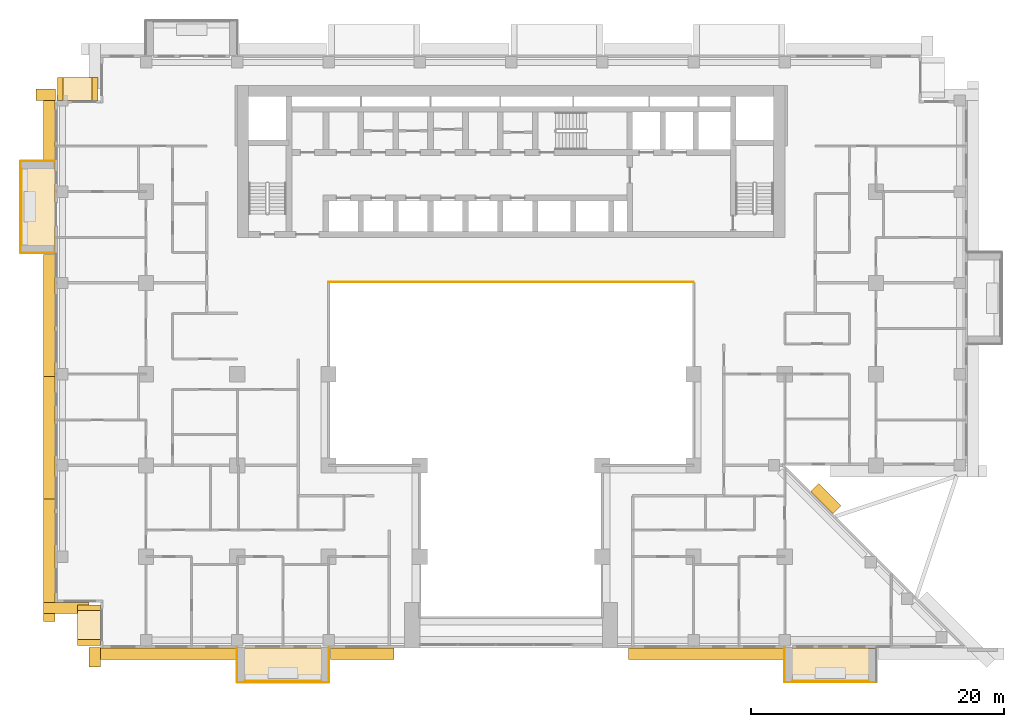
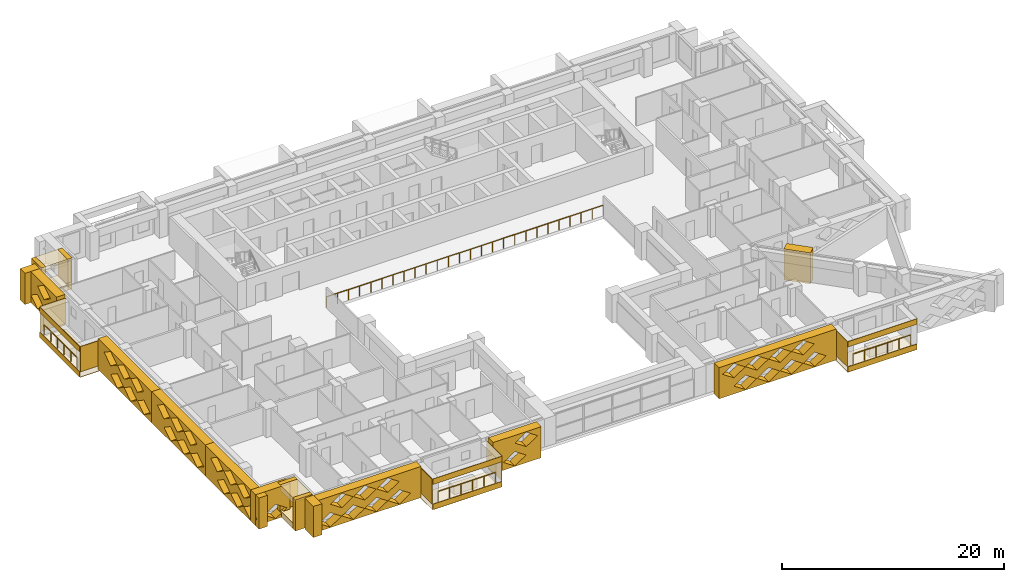
# One storey, part 14 of 17: 33 coverings, 4 railings.
"""IFC4 building model written with IfcOpenShell, lengths in metres."""

from ifc_helpers import new_model, si_unit, direction, frame, origin, origin_2d, place, context, subcontext, project, spatial, polyline, circle, outline, extrude, material, layer, layer_set, type_object, element, save


model = new_model("IFC4")

# Units and contexts
model_context = context("Model", 3, precision=1e-05, world=origin(), true_north=direction((0.0, 1.0)))
body_context = subcontext(model_context, "Body", "Model", "MODEL_VIEW")
ifc_project = project(units=[si_unit("LENGTHUNIT", "METRE"), si_unit("AREAUNIT", "SQUARE_METRE"), si_unit("VOLUMEUNIT", "CUBIC_METRE"), si_unit("PLANEANGLEUNIT", "RADIAN"), si_unit("MASSUNIT", "GRAM", prefix="KILO")], contexts=[model_context])

# Site, building, storey
site_placement = place(None, origin())
site = spatial("IfcSite", under=ifc_project, at=site_placement, CompositionType="ELEMENT")
building_placement = place(site_placement, origin())
building = spatial("IfcBuilding", under=site, at=building_placement, Name="Saffron Iwan Residences", CompositionType="ELEMENT")
storey_placement = place(building_placement, frame((0.0, 0.0, 104.0)))
storey = spatial("IfcBuildingStorey", under=building, at=storey_placement, Name="L27", CompositionType="ELEMENT", Elevation=104.0)

# Railings
ifc_material_1 = material(Name="Stainless steel 316", Category="steel")
railing_type_1 = type_object("IfcRailingType", Name="Atrium guard 1150", PredefinedType="GUARDRAIL", material=ifc_material_1)
railing_1_placement = place(storey_placement, frame((36.0, 62.47509765625, 0.0)))
element("IfcRailing", 1, at=railing_1_placement, inside=storey, type_object=railing_type_1, Name="Atrium guard L27", PredefinedType="GUARDRAIL", context=body_context, shape_type="SweptSolid", body=[
    extrude(circle(Radius=0.02392578125, at=origin_2d()), frame((0.0, 0.0, 1.1259765625), z_axis=(1.0, 0.0, 0.0), x_axis=(0.0, 1.0, 0.0)), (0.0, 0.0, 1.0), 28.800048828125),
    extrude(circle(Radius=0.02099609375, at=origin_2d()), origin(), (0.0, 0.0, 1.0), 1.101806640625),
    extrude(circle(Radius=0.02099609375, at=origin_2d()), frame((1.152099609375, 0.0, 0.0)), (0.0, 0.0, 1.0), 1.101806640625),
    extrude(circle(Radius=0.02099609375, at=origin_2d()), frame((2.303955078125, 0.0, 0.0)), (0.0, 0.0, 1.0), 1.101806640625),
    extrude(circle(Radius=0.02099609375, at=origin_2d()), frame((3.4560546875, 0.0, 0.0)), (0.0, 0.0, 1.0), 1.101806640625),
    extrude(circle(Radius=0.02099609375, at=origin_2d()), frame((4.60791015625, 0.0, 0.0)), (0.0, 0.0, 1.0), 1.101806640625),
    extrude(circle(Radius=0.02099609375, at=origin_2d()), frame((5.760009765625, 0.0, 0.0)), (0.0, 0.0, 1.0), 1.101806640625),
    extrude(circle(Radius=0.02099609375, at=origin_2d()), frame((6.912109375, 0.0, 0.0)), (0.0, 0.0, 1.0), 1.101806640625),
    extrude(circle(Radius=0.02099609375, at=origin_2d()), frame((8.06396484375, 0.0, 0.0)), (0.0, 0.0, 1.0), 1.101806640625),
    extrude(circle(Radius=0.02099609375, at=origin_2d()), frame((9.216064453125, 0.0, 0.0)), (0.0, 0.0, 1.0), 1.101806640625),
    extrude(circle(Radius=0.02099609375, at=origin_2d()), frame((10.367919921875, 0.0, 0.0)), (0.0, 0.0, 1.0), 1.101806640625),
    extrude(circle(Radius=0.02099609375, at=origin_2d()), frame((11.52001953125, 0.0, 0.0)), (0.0, 0.0, 1.0), 1.101806640625),
    extrude(circle(Radius=0.02099609375, at=origin_2d()), frame((12.672119140625, 0.0, 0.0)), (0.0, 0.0, 1.0), 1.101806640625),
    extrude(circle(Radius=0.02099609375, at=origin_2d()), frame((13.823974609375, 0.0, 0.0)), (0.0, 0.0, 1.0), 1.101806640625),
    extrude(circle(Radius=0.02099609375, at=origin_2d()), frame((14.97607421875, 0.0, 0.0)), (0.0, 0.0, 1.0), 1.101806640625),
    extrude(circle(Radius=0.02099609375, at=origin_2d()), frame((16.1279296875, 0.0, 0.0)), (0.0, 0.0, 1.0), 1.101806640625),
    extrude(circle(Radius=0.02099609375, at=origin_2d()), frame((17.280029296875, 0.0, 0.0)), (0.0, 0.0, 1.0), 1.101806640625),
    extrude(circle(Radius=0.02099609375, at=origin_2d()), frame((18.43212890625, 0.0, 0.0)), (0.0, 0.0, 1.0), 1.101806640625),
    extrude(circle(Radius=0.02099609375, at=origin_2d()), frame((19.583984375, 0.0, 0.0)), (0.0, 0.0, 1.0), 1.101806640625),
    extrude(circle(Radius=0.02099609375, at=origin_2d()), frame((20.736083984375, 0.0, 0.0)), (0.0, 0.0, 1.0), 1.101806640625),
    extrude(circle(Radius=0.02099609375, at=origin_2d()), frame((21.887939453125, 0.0, 0.0)), (0.0, 0.0, 1.0), 1.101806640625),
    extrude(circle(Radius=0.02099609375, at=origin_2d()), frame((23.0400390625, 0.0, 0.0)), (0.0, 0.0, 1.0), 1.101806640625),
    extrude(circle(Radius=0.02099609375, at=origin_2d()), frame((24.192138671875, 0.0, 0.0)), (0.0, 0.0, 1.0), 1.101806640625),
    extrude(circle(Radius=0.02099609375, at=origin_2d()), frame((25.343994140625, 0.0, 0.0)), (0.0, 0.0, 1.0), 1.101806640625),
    extrude(circle(Radius=0.02099609375, at=origin_2d()), frame((26.49609375, 0.0, 0.0)), (0.0, 0.0, 1.0), 1.101806640625),
    extrude(circle(Radius=0.02099609375, at=origin_2d()), frame((27.64794921875, 0.0, 0.0)), (0.0, 0.0, 1.0), 1.101806640625),
    extrude(circle(Radius=0.02099609375, at=origin_2d()), frame((28.800048828125, 0.0, 0.0)), (0.0, 0.0, 1.0), 1.101806640625),
])
railing_type_2 = type_object("IfcRailingType", Name="BALCONY GUARD 1150", PredefinedType="GUARDRAIL", material=ifc_material_1)
railing_2_placement = place(storey_placement, frame((11.77490234375, 71.39990234375, 0.0)))
element("IfcRailing", 2, at=railing_2_placement, inside=storey, type_object=railing_type_2, Name="Balcony guard L27 F8-0", PredefinedType="GUARDRAIL", context=body_context, shape_type="SweptSolid", body=[
    extrude(circle(Radius=0.02392578125, at=origin_2d()), frame((0.0, 0.0, 1.1259765625), z_axis=(0.0, -1.0, 0.0), x_axis=(1.0, 0.0, 0.0)), (0.0, 0.0, 1.0), 6.0),
    extrude(circle(Radius=0.02099609375, at=origin_2d()), origin(), (0.0, 0.0, 1.0), 1.101806640625),
    extrude(circle(Radius=0.02099609375, at=origin_2d()), frame((0.0, -1.199951171875, 0.0)), (0.0, 0.0, 1.0), 1.101806640625),
    extrude(circle(Radius=0.02099609375, at=origin_2d()), frame((0.0, -2.39990234375, 0.0)), (0.0, 0.0, 1.0), 1.101806640625),
    extrude(circle(Radius=0.02099609375, at=origin_2d()), frame((0.0, -3.60009765625, 0.0)), (0.0, 0.0, 1.0), 1.101806640625),
    extrude(circle(Radius=0.02099609375, at=origin_2d()), frame((0.0, -4.800048828125, 0.0)), (0.0, 0.0, 1.0), 1.101806640625),
    extrude(circle(Radius=0.02099609375, at=origin_2d()), frame((0.0, -6.0, 0.0)), (0.0, 0.0, 1.0), 1.101806640625),
])
for number, where, name in (
    (3, (29.39990234375, 30.97509765625, 0.0), "Balcony guard L27 11-0"),
    (4, (72.60009765625, 30.97509765625, 0.0), "Balcony guard L27 11-1"),
):
    element("IfcRailing", number, at=place(storey_placement, frame(where)), inside=storey, type_object=railing_type_2, Name=name, PredefinedType="GUARDRAIL", context=body_context, shape_type="SweptSolid", body=[
        extrude(circle(Radius=0.02392578125, at=origin_2d()), frame((0.0, 0.0, 1.1259765625), z_axis=(1.0, 0.0, 0.0), x_axis=(0.0, 1.0, 0.0)), (0.0, 0.0, 1.0), 6.0),
        extrude(circle(Radius=0.02099609375, at=origin_2d()), origin(), (0.0, 0.0, 1.0), 1.101806640625),
        extrude(circle(Radius=0.02099609375, at=origin_2d()), frame((1.199951171875, 0.0, 0.0)), (0.0, 0.0, 1.0), 1.101806640625),
        extrude(circle(Radius=0.02099609375, at=origin_2d()), frame((2.39990234375, 0.0, 0.0)), (0.0, 0.0, 1.0), 1.101806640625),
        extrude(circle(Radius=0.02099609375, at=origin_2d()), frame((3.60009765625, 0.0, 0.0)), (0.0, 0.0, 1.0), 1.101806640625),
        extrude(circle(Radius=0.02099609375, at=origin_2d()), frame((4.800048828125, 0.0, 0.0)), (0.0, 0.0, 1.0), 1.101806640625),
        extrude(circle(Radius=0.02099609375, at=origin_2d()), frame((6.0, 0.0, 0.0)), (0.0, 0.0, 1.0), 1.101806640625),
    ])

# Coverings
ifc_material_2 = material(Name="Precast concrete C40/50 white painted", Category="concrete")
ifc_layer = layer(ifc_material_2, 0.050048828125)
ifc_layer_set = layer_set([ifc_layer], Name="Precast concrete C40/50 white painted")
covering_type_1 = type_object("IfcCoveringType", Name="FRAME SKIN PRECAST WHITE 50", PredefinedType="CLADDING", material=ifc_layer_set)
for number, where, name in (
    (5, (0.0, 0.0, -0.60009765625), "Frame skin slab edge L27 F8-0"),
    (6, (0.0, 0.0, 2.169921875), "Frame skin fascia L27 F8-0"),
):
    element("IfcCovering", number, at=place(storey_placement, frame(where)), inside=storey, type_object=covering_type_1, Name=name, PredefinedType="CLADDING", context=body_context, shape_type="SweptSolid", body=[
        extrude(outline(polyline([(11.64990234375, 72.0), (11.64990234375, 64.800048828125), (11.699951171875, 64.800048828125), (11.699951171875, 72.0), (11.64990234375, 72.0)])), origin(), (0.0, 0.0, 1.0), 0.60009765625),
    ])
covering_1_placement = place(storey_placement, frame((0.0, 0.0, -0.64990234375)))
element("IfcCovering", 7, at=covering_1_placement, inside=storey, type_object=covering_type_1, Name="Frame skin soffit L27 F8-0", PredefinedType="CLADDING", context=body_context, shape_type="SweptSolid", body=[
    extrude(outline(polyline([(11.699951171875, 72.0), (11.699951171875, 64.800048828125), (14.39990234375, 64.800048828125), (14.39990234375, 72.0), (11.699951171875, 72.0)])), origin(), (0.0, 0.0, 1.0), 0.0498046875),
])
covering_2_placement = place(storey_placement, origin())
element("IfcCovering", 8, at=covering_2_placement, inside=storey, type_object=covering_type_1, Name="Frame skin fin L27 F8-0a", PredefinedType="CLADDING", context=body_context, shape_type="SweptSolid", body=[
    extrude(outline(polyline([(11.699951171875, 72.050048828125), (11.699951171875, 72.0), (14.39990234375, 72.0), (14.39990234375, 72.050048828125), (11.699951171875, 72.050048828125)])), origin(), (0.0, 0.0, 1.0), 2.77001953125),
])
covering_3_placement = place(storey_placement, origin())
element("IfcCovering", 9, at=covering_3_placement, inside=storey, type_object=covering_type_1, Name="Frame skin fin L27 F8-0b", PredefinedType="CLADDING", context=body_context, shape_type="SweptSolid", body=[
    extrude(outline(polyline([(11.699951171875, 64.800048828125), (11.699951171875, 64.75), (14.39990234375, 64.75), (14.39990234375, 64.800048828125), (11.699951171875, 64.800048828125)])), origin(), (0.0, 0.0, 1.0), 2.77001953125),
])
for number, where, name in (
    (10, (0.0, 0.0, -0.60009765625), "Frame skin slab edge L27 11-0"),
    (11, (0.0, 0.0, 2.169921875), "Frame skin fascia L27 11-0"),
):
    element("IfcCovering", number, at=place(storey_placement, frame(where)), inside=storey, type_object=covering_type_1, Name=name, PredefinedType="CLADDING", context=body_context, shape_type="SweptSolid", body=[
        extrude(outline(polyline([(28.800048828125, 30.85009765625), (36.0, 30.85009765625), (36.0, 30.89990234375), (28.800048828125, 30.89990234375), (28.800048828125, 30.85009765625)])), origin(), (0.0, 0.0, 1.0), 0.60009765625),
    ])
covering_4_placement = place(storey_placement, frame((0.0, 0.0, -0.64990234375)))
element("IfcCovering", 12, at=covering_4_placement, inside=storey, type_object=covering_type_1, Name="Frame skin soffit L27 11-0", PredefinedType="CLADDING", context=body_context, shape_type="SweptSolid", body=[
    extrude(outline(polyline([(28.800048828125, 30.89990234375), (36.0, 30.89990234375), (36.0, 33.60009765625), (28.800048828125, 33.60009765625), (28.800048828125, 30.89990234375)])), origin(), (0.0, 0.0, 1.0), 0.0498046875),
])
covering_5_placement = place(storey_placement, origin())
element("IfcCovering", 13, at=covering_5_placement, inside=storey, type_object=covering_type_1, Name="Frame skin fin L27 11-0a", PredefinedType="CLADDING", context=body_context, shape_type="SweptSolid", body=[
    extrude(outline(polyline([(28.75, 30.89990234375), (28.800048828125, 30.89990234375), (28.800048828125, 33.60009765625), (28.75, 33.60009765625), (28.75, 30.89990234375)])), origin(), (0.0, 0.0, 1.0), 2.77001953125),
])
covering_6_placement = place(storey_placement, origin())
element("IfcCovering", 14, at=covering_6_placement, inside=storey, type_object=covering_type_1, Name="Frame skin fin L27 11-0b", PredefinedType="CLADDING", context=body_context, shape_type="SweptSolid", body=[
    extrude(outline(polyline([(36.0, 30.89990234375), (36.050048828125, 30.89990234375), (36.050048828125, 33.60009765625), (36.0, 33.60009765625), (36.0, 30.89990234375)])), origin(), (0.0, 0.0, 1.0), 2.77001953125),
])
for number, where, name in (
    (15, (0.0, 0.0, -0.60009765625), "Frame skin slab edge L27 11-1"),
    (16, (0.0, 0.0, 2.169921875), "Frame skin fascia L27 11-1"),
):
    element("IfcCovering", number, at=place(storey_placement, frame(where)), inside=storey, type_object=covering_type_1, Name=name, PredefinedType="CLADDING", context=body_context, shape_type="SweptSolid", body=[
        extrude(outline(polyline([(72.0, 30.85009765625), (79.199951171875, 30.85009765625), (79.199951171875, 30.89990234375), (72.0, 30.89990234375), (72.0, 30.85009765625)])), origin(), (0.0, 0.0, 1.0), 0.60009765625),
    ])
covering_7_placement = place(storey_placement, frame((0.0, 0.0, -0.64990234375)))
element("IfcCovering", 17, at=covering_7_placement, inside=storey, type_object=covering_type_1, Name="Frame skin soffit L27 11-1", PredefinedType="CLADDING", context=body_context, shape_type="SweptSolid", body=[
    extrude(outline(polyline([(72.0, 30.89990234375), (79.199951171875, 30.89990234375), (79.199951171875, 33.60009765625), (72.0, 33.60009765625), (72.0, 30.89990234375)])), origin(), (0.0, 0.0, 1.0), 0.0498046875),
])
covering_8_placement = place(storey_placement, origin())
element("IfcCovering", 18, at=covering_8_placement, inside=storey, type_object=covering_type_1, Name="Frame skin fin L27 11-1a", PredefinedType="CLADDING", context=body_context, shape_type="SweptSolid", body=[
    extrude(outline(polyline([(71.949951171875, 30.89990234375), (72.0, 30.89990234375), (72.0, 33.60009765625), (71.949951171875, 33.60009765625), (71.949951171875, 30.89990234375)])), origin(), (0.0, 0.0, 1.0), 2.77001953125),
])
ifc_material_3 = material(Name="Precast concrete C40/50", Category="concrete")
covering_type_2 = type_object("IfcCoveringType", Name="OUTER SKIN LATTICE SCREEN", PredefinedType="CLADDING", material=ifc_material_3)
covering_9_placement = place(storey_placement, frame((75.805908203125, 44.194091796875, -0.320068359375), z_axis=(0.707106781187, 0.707106781187, 0.0), x_axis=(-0.707106781187, 0.707106781187, 0.0)))
element("IfcCovering", 19, at=covering_9_placement, inside=storey, type_object=covering_type_2, Name="OUTER SKIN lattice screen L27 F0.1", PredefinedType="CLADDING", context=body_context, shape_type="SweptSolid", body=[
    extrude(outline(polyline([(0.0, 0.0), (2.4853515625, 0.0), (2.4853515625, 3.419921875), (0.0, 3.419921875), (0.0, 0.0)])), origin(), (0.0, 0.0, 1.0), 0.900146484375),
])
covering_10_placement = place(storey_placement, frame((14.449951171875, 76.800048828125, -0.320068359375), z_axis=(0.0, 1.0, 0.0), x_axis=(-1.0, 0.0, 0.0)))
element("IfcCovering", 20, at=covering_10_placement, inside=storey, type_object=covering_type_2, Name="OUTER SKIN lattice screen L27 F7.0", PredefinedType="CLADDING", context=body_context, shape_type="SweptSolid", body=[
    extrude(outline(polyline([(0.0, 0.0), (1.550048828125, 0.0), (1.550048828125, 3.419921875), (0.0, 3.419921875), (0.0, 0.0)])), origin(), (0.0, 0.0, 1.0), 0.89990234375),
])
covering_11_placement = place(storey_placement, frame((14.39990234375, 77.699951171875, -0.320068359375), z_axis=(-1.0, 0.0, 0.0), x_axis=(0.0, -1.0, 0.0)))
element("IfcCovering", 21, at=covering_11_placement, inside=storey, type_object=covering_type_2, Name="OUTER SKIN lattice screen L27 F8.0", PredefinedType="CLADDING", context=body_context, shape_type="SweptSolid", body=[
    extrude(outline(polyline([(0.0, 0.0), (5.550048828125, 0.0), (5.550048828125, 3.419921875), (0.0, 3.419921875), (0.0, 0.0)]), holes=[polyline([(0.919921875, 0.85498046875), (2.10009765625, 0.06005859375), (3.280029296875, 0.85498046875), (2.10009765625, 1.64990234375), (0.919921875, 0.85498046875)]), polyline([(2.1201171875, 2.56494140625), (3.300048828125, 1.77001953125), (4.47998046875, 2.56494140625), (3.300048828125, 3.360107421875), (2.1201171875, 2.56494140625)])]), origin(), (0.0, 0.0, 1.0), 0.89990234375),
])
covering_12_placement = place(storey_placement, frame((14.39990234375, 64.64990234375, -0.320068359375), z_axis=(-1.0, 0.0, 0.0), x_axis=(0.0, -1.0, 0.0)))
element("IfcCovering", 22, at=covering_12_placement, inside=storey, type_object=covering_type_2, Name="OUTER SKIN lattice screen L27 F8.1", PredefinedType="CLADDING", context=body_context, shape_type="SweptSolid", body=[
    extrude(outline(polyline([(0.0, 0.0), (9.64990234375, 0.0), (9.64990234375, 3.419921875), (0.0, 3.419921875), (0.0, 0.0)]), holes=[polyline([(2.27001953125, 0.85498046875), (3.449951171875, 0.06005859375), (4.6298828125, 0.85498046875), (3.449951171875, 1.64990234375), (2.27001953125, 0.85498046875)]), polyline([(4.669921875, 0.85498046875), (5.85009765625, 0.06005859375), (7.030029296875, 0.85498046875), (5.85009765625, 1.64990234375), (4.669921875, 0.85498046875)]), polyline([(7.070068359375, 0.85498046875), (8.25, 0.06005859375), (9.429931640625, 0.85498046875), (8.25, 1.64990234375), (7.070068359375, 0.85498046875)]), polyline([(1.070068359375, 2.56494140625), (2.25, 1.77001953125), (3.429931640625, 2.56494140625), (2.25, 3.360107421875), (1.070068359375, 2.56494140625)]), polyline([(3.469970703125, 2.56494140625), (4.64990234375, 1.77001953125), (5.830078125, 2.56494140625), (4.64990234375, 3.360107421875), (3.469970703125, 2.56494140625)]), polyline([(5.8701171875, 2.56494140625), (7.050048828125, 1.77001953125), (8.22998046875, 2.56494140625), (7.050048828125, 3.360107421875), (5.8701171875, 2.56494140625)])]), origin(), (0.0, 0.0, 1.0), 0.89990234375),
])
covering_13_placement = place(storey_placement, frame((14.39990234375, 55.0, -0.320068359375), z_axis=(-1.0, 0.0, 0.0), x_axis=(0.0, -1.0, 0.0)))
element("IfcCovering", 23, at=covering_13_placement, inside=storey, type_object=covering_type_2, Name="OUTER SKIN lattice screen L27 F8.2", PredefinedType="CLADDING", context=body_context, shape_type="SweptSolid", body=[
    extrude(outline(polyline([(0.0, 0.0), (9.64990234375, 0.0), (9.64990234375, 3.419921875), (0.0, 3.419921875), (0.0, 0.0)]), holes=[polyline([(2.219970703125, 0.85498046875), (3.39990234375, 0.06005859375), (4.580078125, 0.85498046875), (3.39990234375, 1.64990234375), (2.219970703125, 0.85498046875)]), polyline([(4.6201171875, 0.85498046875), (5.800048828125, 0.06005859375), (6.97998046875, 0.85498046875), (5.800048828125, 1.64990234375), (4.6201171875, 0.85498046875)]), polyline([(7.02001953125, 0.85498046875), (8.199951171875, 0.06005859375), (9.3798828125, 0.85498046875), (8.199951171875, 1.64990234375), (7.02001953125, 0.85498046875)]), polyline([(1.02001953125, 2.56494140625), (2.199951171875, 1.77001953125), (3.3798828125, 2.56494140625), (2.199951171875, 3.360107421875), (1.02001953125, 2.56494140625)]), polyline([(3.419921875, 2.56494140625), (4.60009765625, 1.77001953125), (5.780029296875, 2.56494140625), (4.60009765625, 3.360107421875), (3.419921875, 2.56494140625)]), polyline([(5.820068359375, 2.56494140625), (7.0, 1.77001953125), (8.179931640625, 2.56494140625), (7.0, 3.360107421875), (5.820068359375, 2.56494140625)])]), origin(), (0.0, 0.0, 1.0), 0.89990234375),
])
covering_14_placement = place(storey_placement, frame((14.39990234375, 45.35009765625, -0.320068359375), z_axis=(-1.0, 0.0, 0.0), x_axis=(0.0, -1.0, 0.0)))
element("IfcCovering", 24, at=covering_14_placement, inside=storey, type_object=covering_type_2, Name="OUTER SKIN lattice screen L27 F8.3", PredefinedType="CLADDING", context=body_context, shape_type="SweptSolid", body=[
    extrude(outline(polyline([(0.0, 0.0), (9.64990234375, 0.0), (9.64990234375, 3.419921875), (0.0, 3.419921875), (0.0, 0.0)]), holes=[polyline([(2.169921875, 0.85498046875), (3.35009765625, 0.06005859375), (4.530029296875, 0.85498046875), (3.35009765625, 1.64990234375), (2.169921875, 0.85498046875)]), polyline([(4.570068359375, 0.85498046875), (5.75, 0.06005859375), (6.929931640625, 0.85498046875), (5.75, 1.64990234375), (4.570068359375, 0.85498046875)]), polyline([(6.969970703125, 0.85498046875), (8.14990234375, 0.06005859375), (9.330078125, 0.85498046875), (8.14990234375, 1.64990234375), (6.969970703125, 0.85498046875)]), polyline([(0.969970703125, 2.56494140625), (2.14990234375, 1.77001953125), (3.330078125, 2.56494140625), (2.14990234375, 3.360107421875), (0.969970703125, 2.56494140625)]), polyline([(3.3701171875, 2.56494140625), (4.550048828125, 1.77001953125), (5.72998046875, 2.56494140625), (4.550048828125, 3.360107421875), (3.3701171875, 2.56494140625)]), polyline([(5.77001953125, 2.56494140625), (6.949951171875, 1.77001953125), (8.1298828125, 2.56494140625), (6.949951171875, 3.360107421875), (5.77001953125, 2.56494140625)])]), origin(), (0.0, 0.0, 1.0), 0.89990234375),
])
covering_15_placement = place(storey_placement, frame((13.5, 37.199951171875, -0.320068359375), z_axis=(0.0, -1.0, 0.0), x_axis=(1.0, 0.0, 0.0)))
element("IfcCovering", 25, at=covering_15_placement, inside=storey, type_object=covering_type_2, Name="OUTER SKIN lattice screen L27 F9.0", PredefinedType="CLADDING", context=body_context, shape_type="SweptSolid", body=[
    extrude(outline(polyline([(0.0, 0.0), (3.60009765625, 0.0), (3.60009765625, 3.419921875), (0.0, 3.419921875), (0.0, 0.0)]), holes=[polyline([(0.919921875, 0.85498046875), (2.10009765625, 0.06005859375), (3.280029296875, 0.85498046875), (2.10009765625, 1.64990234375), (0.919921875, 0.85498046875)])]), origin(), (0.0, 0.0, 1.0), 0.89990234375),
])
covering_16_placement = place(storey_placement, frame((18.0, 33.64990234375, -0.320068359375), z_axis=(-1.0, 0.0, 0.0), x_axis=(0.0, -1.0, 0.0)))
element("IfcCovering", 26, at=covering_16_placement, inside=storey, type_object=covering_type_2, Name="OUTER SKIN lattice screen L27 F10.0", PredefinedType="CLADDING", context=body_context, shape_type="SweptSolid", body=[
    extrude(outline(polyline([(0.0, 0.0), (1.550048828125, 0.0), (1.550048828125, 3.419921875), (0.0, 3.419921875), (0.0, 0.0)])), origin(), (0.0, 0.0, 1.0), 0.89990234375),
])
covering_17_placement = place(storey_placement, frame((17.10009765625, 33.60009765625, -0.320068359375), z_axis=(0.0, -1.0, 0.0), x_axis=(1.0, 0.0, 0.0)))
element("IfcCovering", 27, at=covering_17_placement, inside=storey, type_object=covering_type_2, Name="OUTER SKIN lattice screen L27 F11.0", PredefinedType="CLADDING", context=body_context, shape_type="SweptSolid", body=[
    extrude(outline(polyline([(0.0, 0.0), (11.550048828125, 0.0), (11.550048828125, 3.419921875), (0.0, 3.419921875), (0.0, 0.0)]), holes=[polyline([(0.919921875, 0.85498046875), (2.10009765625, 0.06005859375), (3.280029296875, 0.85498046875), (2.10009765625, 1.64990234375), (0.919921875, 0.85498046875)]), polyline([(3.320068359375, 0.85498046875), (4.5, 0.06005859375), (5.679931640625, 0.85498046875), (4.5, 1.64990234375), (3.320068359375, 0.85498046875)]), polyline([(5.719970703125, 0.85498046875), (6.89990234375, 0.06005859375), (8.080078125, 0.85498046875), (6.89990234375, 1.64990234375), (5.719970703125, 0.85498046875)]), polyline([(8.1201171875, 0.85498046875), (9.300048828125, 0.06005859375), (10.47998046875, 0.85498046875), (9.300048828125, 1.64990234375), (8.1201171875, 0.85498046875)]), polyline([(2.1201171875, 2.56494140625), (3.300048828125, 1.77001953125), (4.47998046875, 2.56494140625), (3.300048828125, 3.360107421875), (2.1201171875, 2.56494140625)]), polyline([(4.52001953125, 2.56494140625), (5.699951171875, 1.77001953125), (6.8798828125, 2.56494140625), (5.699951171875, 3.360107421875), (4.52001953125, 2.56494140625)]), polyline([(6.919921875, 2.56494140625), (8.10009765625, 1.77001953125), (9.280029296875, 2.56494140625), (8.10009765625, 3.360107421875), (6.919921875, 2.56494140625)])]), origin(), (0.0, 0.0, 1.0), 0.900146484375),
])
covering_18_placement = place(storey_placement, frame((36.14990234375, 33.60009765625, -0.320068359375), z_axis=(0.0, -1.0, 0.0), x_axis=(1.0, 0.0, 0.0)))
element("IfcCovering", 28, at=covering_18_placement, inside=storey, type_object=covering_type_2, Name="OUTER SKIN lattice screen L27 F11.1", PredefinedType="CLADDING", context=body_context, shape_type="SweptSolid", body=[
    extrude(outline(polyline([(0.0, 0.0), (5.0, 0.0), (5.0, 3.419921875), (0.0, 3.419921875), (0.0, 0.0)]), holes=[polyline([(1.070068359375, 0.85498046875), (2.25, 0.06005859375), (3.429931640625, 0.85498046875), (2.25, 1.64990234375), (1.070068359375, 0.85498046875)]), polyline([(2.27001953125, 2.56494140625), (3.449951171875, 1.77001953125), (4.6298828125, 2.56494140625), (3.449951171875, 3.360107421875), (2.27001953125, 2.56494140625)])]), origin(), (0.0, 0.0, 1.0), 0.900146484375),
])
covering_19_placement = place(storey_placement, frame((59.64990234375, 33.60009765625, -0.320068359375), z_axis=(0.0, -1.0, 0.0), x_axis=(1.0, 0.0, 0.0)))
element("IfcCovering", 29, at=covering_19_placement, inside=storey, type_object=covering_type_2, Name="OUTER SKIN lattice screen L27 F11.2", PredefinedType="CLADDING", context=body_context, shape_type="SweptSolid", body=[
    extrude(outline(polyline([(0.0, 0.0), (12.199951171875, 0.0), (12.199951171875, 3.419921875), (0.0, 3.419921875), (0.0, 0.0)]), holes=[polyline([(1.570068359375, 0.85498046875), (2.75, 0.06005859375), (3.929931640625, 0.85498046875), (2.75, 1.64990234375), (1.570068359375, 0.85498046875)]), polyline([(3.969970703125, 0.85498046875), (5.14990234375, 0.06005859375), (6.330078125, 0.85498046875), (5.14990234375, 1.64990234375), (3.969970703125, 0.85498046875)]), polyline([(6.3701171875, 0.85498046875), (7.550048828125, 0.06005859375), (8.72998046875, 0.85498046875), (7.550048828125, 1.64990234375), (6.3701171875, 0.85498046875)]), polyline([(8.77001953125, 0.85498046875), (9.949951171875, 0.06005859375), (11.1298828125, 0.85498046875), (9.949951171875, 1.64990234375), (8.77001953125, 0.85498046875)]), polyline([(0.3701171875, 2.56494140625), (1.550048828125, 1.77001953125), (2.72998046875, 2.56494140625), (1.550048828125, 3.360107421875), (0.3701171875, 2.56494140625)]), polyline([(2.77001953125, 2.56494140625), (3.949951171875, 1.77001953125), (5.1298828125, 2.56494140625), (3.949951171875, 3.360107421875), (2.77001953125, 2.56494140625)]), polyline([(5.169921875, 2.56494140625), (6.35009765625, 1.77001953125), (7.530029296875, 2.56494140625), (6.35009765625, 3.360107421875), (5.169921875, 2.56494140625)]), polyline([(7.570068359375, 2.56494140625), (8.75, 1.77001953125), (9.929931640625, 2.56494140625), (8.75, 3.360107421875), (7.570068359375, 2.56494140625)])]), origin(), (0.0, 0.0, 1.0), 0.900146484375),
])
covering_type_3 = type_object("IfcCoveringType", Name="WHITE SUN FRAME PRECAST", PredefinedType="CLADDING", material=ifc_material_2)
for number, where, z_axis, x_axis, name in (
    (30, (17.800048828125, 76.800048828125, -0.320068359375), (0.0, 1.0, 0.0), (-1.0, 0.0, 0.0), "Sun frame L27 F7 0.2a"),
    (31, (15.050048828125, 76.800048828125, -0.320068359375), (0.0, 1.0, 0.0), (-1.0, 0.0, 0.0), "Sun frame L27 F7 0.2b"),
):
    element("IfcCovering", number, at=place(storey_placement, frame(where, z_axis=z_axis, x_axis=x_axis)), inside=storey, type_object=covering_type_3, Name=name, PredefinedType="CLADDING", context=body_context, shape_type="SweptSolid", body=[
        extrude(outline(polyline([(0.0, 0.0), (0.449951171875, 0.0), (0.449951171875, 3.419921875), (0.0, 3.419921875), (0.0, 0.0)])), origin(), (0.0, 0.0, 1.0), 1.800048828125),
    ])
for number, where, z_axis, x_axis, name in (
    (32, (17.35009765625, 76.800048828125, 2.5), (0.0, 1.0, 0.0), (-1.0, 0.0, 0.0), "Sun frame L27 F7 0.2h"),
    (33, (17.35009765625, 76.800048828125, -0.320068359375), (0.0, 1.0, 0.0), (-1.0, 0.0, 0.0), "Sun frame L27 F7 0.2s"),
):
    element("IfcCovering", number, at=place(storey_placement, frame(where, z_axis=z_axis, x_axis=x_axis)), inside=storey, type_object=covering_type_3, Name=name, PredefinedType="CLADDING", context=body_context, shape_type="SweptSolid", body=[
        extrude(outline(polyline([(0.0, 0.0), (2.300048828125, 0.0), (2.300048828125, 0.60009765625), (0.0, 0.60009765625), (0.0, 0.0)])), origin(), (0.0, 0.0, 1.0), 1.800048828125),
    ])
for number, where, z_axis, x_axis, name in (
    (34, (18.0, 37.0, -0.320068359375), (-1.0, 0.0, 0.0), (0.0, -1.0, 0.0), "Sun frame L27 F10 0.2a"),
    (35, (18.0, 34.25, -0.320068359375), (-1.0, 0.0, 0.0), (0.0, -1.0, 0.0), "Sun frame L27 F10 0.2b"),
):
    element("IfcCovering", number, at=place(storey_placement, frame(where, z_axis=z_axis, x_axis=x_axis)), inside=storey, type_object=covering_type_3, Name=name, PredefinedType="CLADDING", context=body_context, shape_type="SweptSolid", body=[
        extrude(outline(polyline([(0.0, 0.0), (0.449951171875, 0.0), (0.449951171875, 3.419921875), (0.0, 3.419921875), (0.0, 0.0)])), origin(), (0.0, 0.0, 1.0), 1.800048828125),
    ])
for number, where, z_axis, x_axis, name in (
    (36, (18.0, 36.550048828125, 2.5), (-1.0, 0.0, 0.0), (0.0, -1.0, 0.0), "Sun frame L27 F10 0.2h"),
    (37, (18.0, 36.550048828125, -0.320068359375), (-1.0, 0.0, 0.0), (0.0, -1.0, 0.0), "Sun frame L27 F10 0.2s"),
):
    element("IfcCovering", number, at=place(storey_placement, frame(where, z_axis=z_axis, x_axis=x_axis)), inside=storey, type_object=covering_type_3, Name=name, PredefinedType="CLADDING", context=body_context, shape_type="SweptSolid", body=[
        extrude(outline(polyline([(0.0, 0.0), (2.300048828125, 0.0), (2.300048828125, 0.60009765625), (0.0, 0.60009765625), (0.0, 0.0)])), origin(), (0.0, 0.0, 1.0), 1.800048828125),
    ])

save(model, "model.ifc")
